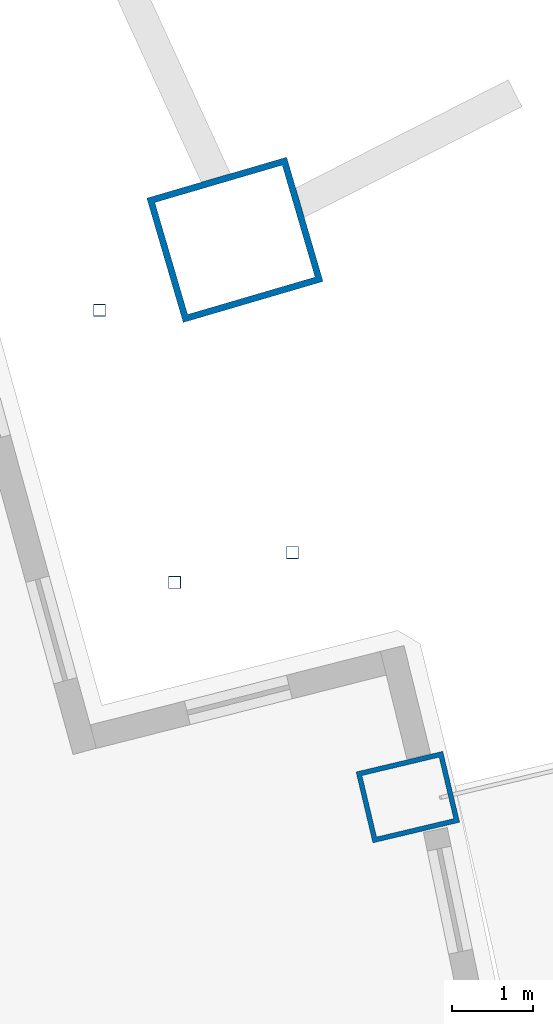
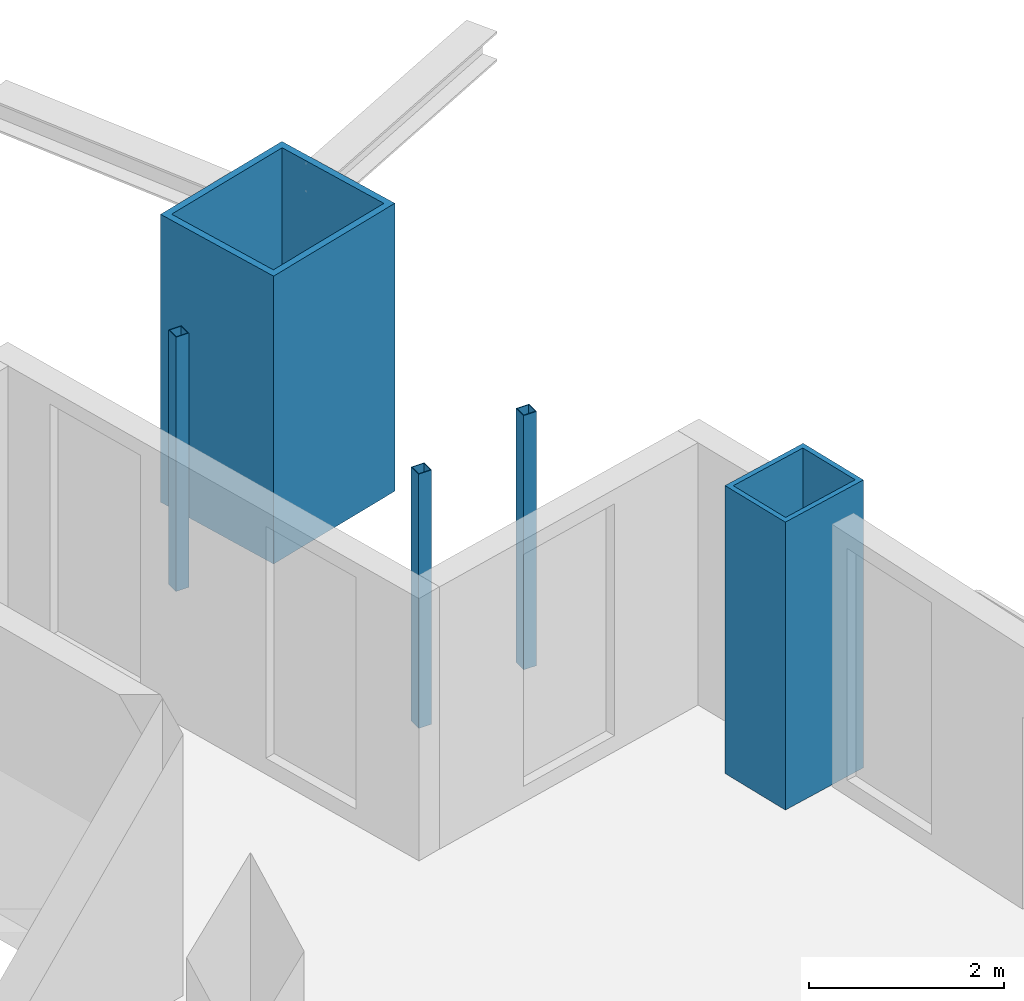
# One storey, part 9 of 20: 5 columns.
"""IFC4 building model written with IfcOpenShell, lengths in metres."""

from ifc_helpers import new_model, si_unit, direction, frame, origin, origin_2d, place, context, subcontext, project, spatial, hollow_rectangle, extrude, material, material_profile, profile_set, type_object, element, save


model = new_model("IFC4")

# Units and contexts
model_context = context("Model", 3, precision=1e-05, world=origin(), true_north=direction((0.0, 1.0)))
body_context = subcontext(model_context, "Body", "Model", "MODEL_VIEW")
ifc_project = project(units=[si_unit("LENGTHUNIT", "METRE"), si_unit("AREAUNIT", "SQUARE_METRE"), si_unit("VOLUMEUNIT", "CUBIC_METRE"), si_unit("PLANEANGLEUNIT", "RADIAN"), si_unit("MASSUNIT", "GRAM", prefix="KILO")], contexts=[model_context])

# Site, building, storey
site_placement = place(None, origin())
site = spatial("IfcSite", under=ifc_project, at=site_placement, CompositionType="ELEMENT")
building_placement = place(site_placement, origin())
building = spatial("IfcBuilding", under=site, at=building_placement, Name="Alderwake Tower", CompositionType="ELEMENT")
storey_placement = place(building_placement, frame((0.0, 0.0, 178.39990234375)))
storey = spatial("IfcBuildingStorey", under=building, at=storey_placement, Name="L44", CompositionType="ELEMENT", Elevation=178.39990234375)

# Columns
ifc_material_1 = material(Name="Steel ASTM A500 Grade C", Category="steel")
ifc_material_profile_1 = material_profile(ifc_material_1, hollow_rectangle(XDim=0.15234375, YDim=0.15234375, WallThickness=0.0087890625, at=origin_2d()), Name="HSS6X6X3/8")
ifc_profile_set_1 = profile_set([ifc_material_profile_1], Name="Steel ASTM A500 Grade C")
column_type_1 = type_object("IfcColumnType", Name="Light post HSS6X6X3/8", PredefinedType="COLUMN", material=ifc_profile_set_1)
for number, where, z_axis, x_axis, name in (
    (1, (53.807861328125, 96.159423828125, 0.0), (0.0, 0.0, 1.0), (1.0, 0.0, 0.0), "Terrace post FN1"),
    (2, (51.42431640625, 99.152099609375, 0.0), (0.0, 0.0, 1.0), (1.0, 0.0, 0.0), "Terrace post FN2"),
    (3, (52.353759765625, 95.791259765625, 0.0), (0.0, 0.0, 1.0), (1.0, 0.0, 0.0), "Terrace post FN3"),
):
    element("IfcColumn", number, at=place(storey_placement, frame(where, z_axis=z_axis, x_axis=x_axis)), inside=storey, type_object=column_type_1, Name=name, PredefinedType="COLUMN", context=body_context, shape_type="SweptSolid", body=[
        extrude(hollow_rectangle(XDim=0.15234375, YDim=0.15234375, WallThickness=0.0087890625, at=origin_2d()), origin(), (0.0, 0.0, 1.0), 3.18017578125),
    ])
ifc_material_2 = material(Name="Steel ASTM A572 Grade 50 concrete filled C70/85", Category="concrete")
ifc_material_profile_2 = material_profile(ifc_material_2, hollow_rectangle(XDim=1.60009765625, YDim=1.800048828125, WallThickness=0.080078125, at=origin_2d()), Name="BOX 1800X1600X80")
ifc_profile_set_2 = profile_set([ifc_material_profile_2], Name="Steel ASTM A572 Grade 50 concrete filled C70/85")
column_type_2 = type_object("IfcColumnType", Name="Mega column Z3", PredefinedType="COLUMN", material=ifc_profile_set_2)
column_1_placement = place(storey_placement, frame((53.09765625, 100.022216796875, 0.0), z_axis=(0.0, 0.0, 1.0), x_axis=(-0.281341735468, 0.959607642677, 0.0)))
element("IfcColumn", 4, at=column_1_placement, inside=storey, type_object=column_type_2, Name="Column R12-C5", PredefinedType="COLUMN", context=body_context, shape_type="SweptSolid", body=[
    extrude(hollow_rectangle(XDim=1.60009765625, YDim=1.800048828125, WallThickness=0.080078125, at=origin_2d()), origin(), (0.0, 0.0, 1.0), 3.60009765625),
])
ifc_material_3 = material(Name="Steel ASTM A572 Grade 50 concrete filled C70/85", Category="concrete")
ifc_material_profile_3 = material_profile(ifc_material_3, hollow_rectangle(XDim=0.89990234375, YDim=1.10009765625, WallThickness=0.06005859375, at=origin_2d()), Name="BOX 1100X900X60")
ifc_profile_set_3 = profile_set([ifc_material_profile_3], Name="Steel ASTM A572 Grade 50 concrete filled C70/85")
column_type_3 = type_object("IfcColumnType", Name="Perimeter column Z3", PredefinedType="COLUMN", material=ifc_profile_set_3)
column_2_placement = place(storey_placement, frame((55.233154296875, 93.139892578125, 0.0), z_axis=(0.0, 0.0, 1.0), x_axis=(-0.231221547198, 0.972901123502, 0.0)))
element("IfcColumn", 5, at=column_2_placement, inside=storey, type_object=column_type_3, Name="Column R11-C5", PredefinedType="COLUMN", context=body_context, shape_type="SweptSolid", body=[
    extrude(hollow_rectangle(XDim=0.89990234375, YDim=1.10009765625, WallThickness=0.06005859375, at=origin_2d()), origin(), (0.0, 0.0, 1.0), 3.60009765625),
])

save(model, "model.ifc")
